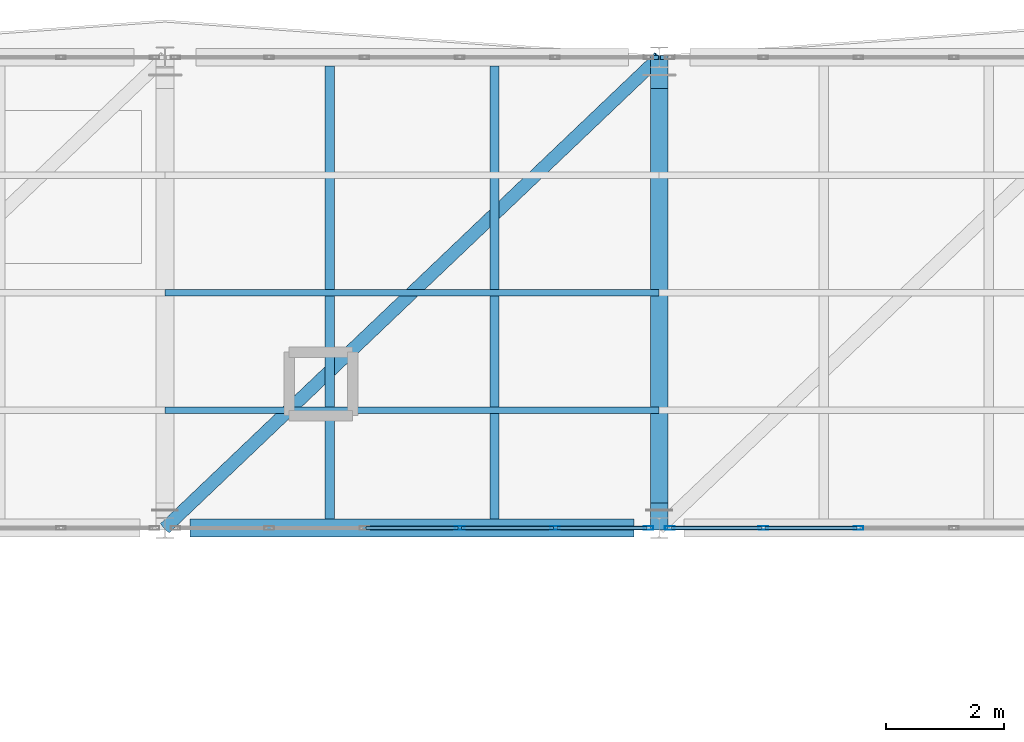
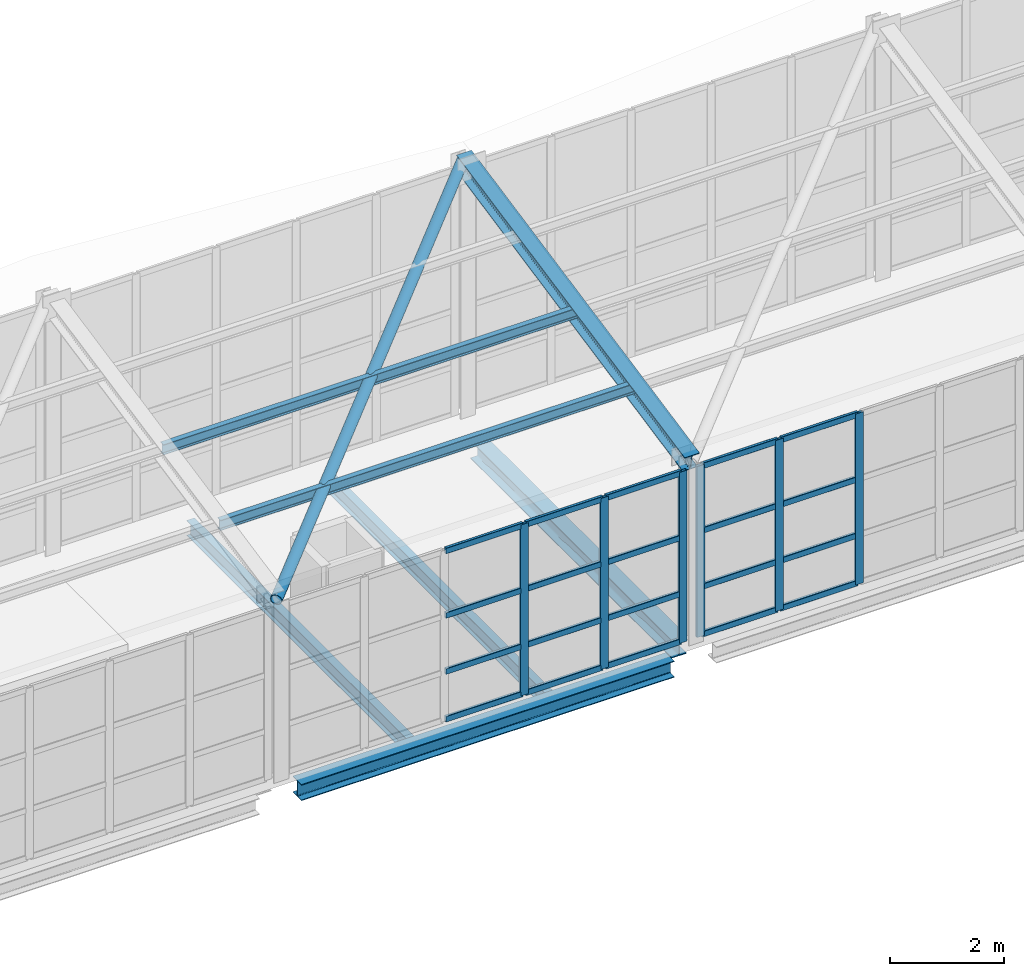
# One storey, part 106 of 177: 30 members, 4 beams, 2 elements without a shape of their own.
"""IFC4 building model written with IfcOpenShell, lengths in metres."""

from ifc_helpers import new_model, si_unit, direction, frame, origin, origin_2d, place, context, subcontext, project, spatial, hollow_rectangle, hollow_circle, i_section, extrude, material, layer, layer_set, material_profile, profile_set, type_object, element, aggregate, save


model = new_model("IFC4")

# Units and contexts
model_context = context("Model", 3, precision=1e-05, world=origin(), true_north=direction((0.0, 1.0)))
body_context = subcontext(model_context, "Body", "Model", "MODEL_VIEW")
ifc_project = project(units=[si_unit("LENGTHUNIT", "METRE"), si_unit("AREAUNIT", "SQUARE_METRE"), si_unit("VOLUMEUNIT", "CUBIC_METRE"), si_unit("PLANEANGLEUNIT", "RADIAN"), si_unit("MASSUNIT", "GRAM", prefix="KILO"), si_unit("THERMODYNAMICTEMPERATUREUNIT", "KELVIN"), si_unit("POWERUNIT", "WATT")], contexts=[model_context])

# Site, building, storey
site_placement = place(None, origin())
site = spatial("IfcSite", under=ifc_project, at=site_placement, CompositionType="ELEMENT")
building_placement = place(site_placement, origin())
building = spatial("IfcBuilding", under=site, at=building_placement, Name="Mavoryth Pier Ferry Terminal", CompositionType="ELEMENT")
storey_placement = place(building_placement, frame((0.0, 0.0, 5.43994140625)))
storey = spatial("IfcBuildingStorey", under=building, at=storey_placement, Name="L01", CompositionType="ELEMENT", Elevation=5.43994140625)

# Beam
ifc_material_1 = material(Name="Steel S355J2", Category="steel")
ifc_material_profile_1 = material_profile(ifc_material_1, i_section(OverallWidth=0.300048828125, OverallDepth=0.389892578125, WebThickness=0.010986328125, FlangeThickness=0.01904296875, FilletRadius=0.027099609375, at=origin_2d()), Name="HEA 400", Category="steel")
ifc_profile_set_1 = profile_set([ifc_material_profile_1], Name="Steel S355J2 - HEA 400")
beam_type_1 = type_object("IfcBeamType", Name="Beam-Steel-HEA400", PredefinedType="BEAM", material=ifc_profile_set_1)
beam_1_placement = place(storey_placement, frame((117.60009765625, 106.425048828125, -0.43505859375), z_axis=(0.0, 1.0, 0.0), x_axis=(-1.0, 0.0, 0.0)))
element("IfcBeam", 1, at=beam_1_placement, inside=storey, type_object=beam_type_1, Name="Beam B01-SB04-0286", PredefinedType="BEAM", context=body_context, shape_type="SweptSolid", body=[
    extrude(i_section(OverallWidth=0.300048828125, OverallDepth=0.389892578125, WebThickness=0.010986328125, FlangeThickness=0.01904296875, FilletRadius=0.027099609375, at=origin_2d()), origin(), (0.0, 0.0, 1.0), 7.050048828125),
])

# Member
ifc_material_profile_2 = material_profile(ifc_material_1, hollow_circle(Radius=0.109619140625, WallThickness=0.010009765625, at=origin_2d()), Name="CHS 219.1x10.0", Category="steel")
ifc_profile_set_2 = profile_set([ifc_material_profile_2], Name="Steel S355J2 - CHS 219.1x10.0")
member_type_1 = type_object("IfcMemberType", Name="Brace-Diag-CHS219", PredefinedType="BRACE", material=ifc_profile_set_2)
member_1_placement = place(storey_placement, frame((109.199951171875, 106.0, 3.771240234375), z_axis=(0.717118778547, 0.682958355435, 0.138955180532), x_axis=(-0.689648865971, 0.724143937118, 0.0)))
element("IfcMember", 2, at=member_1_placement, inside=storey, type_object=member_type_1, Name="Steel Member MB-L01-0281", PredefinedType="BRACE", context=body_context, shape_type="SweptSolid", body=[
    extrude(hollow_circle(Radius=0.109619140625, WallThickness=0.010009765625, at=origin_2d()), origin(), (0.0, 0.0, 1.0), 11.713623046875),
])

# Beams
ifc_material_profile_3 = material_profile(ifc_material_1, i_section(OverallWidth=0.159912109375, OverallDepth=0.330078125, WebThickness=0.007568359375, FlangeThickness=0.011474609375, FilletRadius=0.01806640625, at=origin_2d()), Name="IPE 330", Category="steel")
ifc_profile_set_3 = profile_set([ifc_material_profile_3], Name="Steel S355J2 - IPE 330")
beam_type_2 = type_object("IfcBeamType", Name="Joist-Steel-IPE330", PredefinedType="JOIST", material=ifc_profile_set_3)
for number, where, z_axis, x_axis, name in (
    (3, (112.0, 106.14990234375, -0.405029296875), (0.0, 1.0, 0.0), (-1.0, 0.0, 0.0), "Beam B01-SJ03-0303"),
    (4, (114.800048828125, 106.14990234375, -0.405029296875), (0.0, 1.0, 0.0), (-1.0, 0.0, 0.0), "Beam B01-SJ03-0304"),
):
    element("IfcBeam", number, at=place(storey_placement, frame(where, z_axis=z_axis, x_axis=x_axis)), inside=storey, type_object=beam_type_2, Name=name, PredefinedType="JOIST", context=body_context, shape_type="SweptSolid", body=[
        extrude(i_section(OverallWidth=0.159912109375, OverallDepth=0.330078125, WebThickness=0.007568359375, FlangeThickness=0.011474609375, FilletRadius=0.01806640625, at=origin_2d()), origin(), (0.0, 0.0, 1.0), 7.7001953125),
    ])

# Curtain wall, members
ifc_material_2 = material(Name="Anodised Aluminium and Solar-Control Low-E Glass", Category="aluminium")
ifc_layer = layer(ifc_material_2, 0.139892578125, Name="Anodised Aluminium and Solar-Control Low-E Glass", Category="aluminium")
ifc_layer_set = layer_set([ifc_layer], Name="Anodised Aluminium and Solar-Control Low-E Glass - CW-Gallery-Mod1600")
curtain_wall_type = type_object("IfcCurtainWallType", Name="CW-Gallery-Mod1600", PredefinedType="USERDEFINED", material=ifc_layer_set)
curtain_wall_1_placement = place(storey_placement, origin())
curtain_wall_1 = element("IfcCurtainWall", 5, at=curtain_wall_1_placement, inside=storey, type_object=curtain_wall_type, Name="Curtain Wall CW-0122-087", ObjectType="UNITISED CURTAIN WALL", PredefinedType="USERDEFINED")
ifc_material_3 = material(Name="Anodised Aluminium EN AW-6063", Category="aluminium")
ifc_material_profile_4 = material_profile(ifc_material_3, hollow_rectangle(XDim=0.06005859375, YDim=0.1650390625, WallThickness=0.00390625, InnerFilletRadius=0.00390625, OuterFilletRadius=0.008056640625, at=origin_2d()), Name="AL-MULL 165x60x4", Category="aluminium")
ifc_profile_set_4 = profile_set([ifc_material_profile_4], Name="Anodised Aluminium EN AW-6063 - AL-MULL 165x60x4")
member_type_2 = type_object("IfcMemberType", Name="Mullion-Alum-165x60", PredefinedType="MULLION", material=ifc_profile_set_4)
member_2_placement = place(storey_placement, frame((114.2099609375, 106.0, 0.0), z_axis=(0.0, 0.0, 1.0), x_axis=(0.0, 1.0, 0.0)))
member_2 = element("IfcMember", 6, at=member_2_placement, type_object=member_type_2, Name="CW05 mullion 4", PredefinedType="MULLION", context=body_context, shape_type="SweptSolid", body=[
    extrude(hollow_rectangle(XDim=0.06005859375, YDim=0.1650390625, WallThickness=0.00390625, InnerFilletRadius=0.00390625, OuterFilletRadius=0.008056640625, at=origin_2d()), origin(), (0.0, 0.0, 1.0), 3.66015625),
])
member_3_placement = place(storey_placement, frame((115.830078125, 106.0, 0.0), z_axis=(0.0, 0.0, 1.0), x_axis=(0.0, 1.0, 0.0)))
member_3 = element("IfcMember", 7, at=member_3_placement, type_object=member_type_2, Name="CW05 mullion 5", PredefinedType="MULLION", context=body_context, shape_type="SweptSolid", body=[
    extrude(hollow_rectangle(XDim=0.06005859375, YDim=0.1650390625, WallThickness=0.00390625, InnerFilletRadius=0.00390625, OuterFilletRadius=0.008056640625, at=origin_2d()), origin(), (0.0, 0.0, 1.0), 3.66015625),
])
member_4_placement = place(storey_placement, frame((117.419921875, 106.0, 0.0), z_axis=(0.0, 0.0, 1.0), x_axis=(0.0, 1.0, 0.0)))
member_4 = element("IfcMember", 8, at=member_4_placement, type_object=member_type_2, Name="CW05 mullion 6", PredefinedType="MULLION", context=body_context, shape_type="SweptSolid", body=[
    extrude(hollow_rectangle(XDim=0.06005859375, YDim=0.1650390625, WallThickness=0.00390625, InnerFilletRadius=0.00390625, OuterFilletRadius=0.008056640625, at=origin_2d()), origin(), (0.0, 0.0, 1.0), 3.66015625),
])

curtain_wall_2_placement = place(storey_placement, origin())
curtain_wall_2 = element("IfcCurtainWall", 9, at=curtain_wall_2_placement, inside=storey, type_object=curtain_wall_type, Name="Curtain Wall CW-0122-089", ObjectType="UNITISED CURTAIN WALL", PredefinedType="USERDEFINED")
member_5_placement = place(storey_placement, frame((117.780029296875, 106.0, 0.0), z_axis=(0.0, 0.0, 1.0), x_axis=(0.0, 1.0, 0.0)))
member_5 = element("IfcMember", 10, at=member_5_placement, type_object=member_type_2, Name="CW05 mullion 1", PredefinedType="MULLION", context=body_context, shape_type="SweptSolid", body=[
    extrude(hollow_rectangle(XDim=0.06005859375, YDim=0.1650390625, WallThickness=0.00390625, InnerFilletRadius=0.00390625, OuterFilletRadius=0.008056640625, at=origin_2d()), origin(), (0.0, 0.0, 1.0), 3.66015625),
])
member_6_placement = place(storey_placement, frame((119.3701171875, 106.0, 0.0), z_axis=(0.0, 0.0, 1.0), x_axis=(0.0, 1.0, 0.0)))
member_6 = element("IfcMember", 11, at=member_6_placement, type_object=member_type_2, Name="CW05 mullion 2", PredefinedType="MULLION", context=body_context, shape_type="SweptSolid", body=[
    extrude(hollow_rectangle(XDim=0.06005859375, YDim=0.1650390625, WallThickness=0.00390625, InnerFilletRadius=0.00390625, OuterFilletRadius=0.008056640625, at=origin_2d()), origin(), (0.0, 0.0, 1.0), 3.66015625),
])
member_7_placement = place(storey_placement, frame((120.989990234375, 106.0, 0.0), z_axis=(0.0, 0.0, 1.0), x_axis=(0.0, 1.0, 0.0)))
member_7 = element("IfcMember", 12, at=member_7_placement, type_object=member_type_2, Name="CW05 mullion 3", PredefinedType="MULLION", context=body_context, shape_type="SweptSolid", body=[
    extrude(hollow_rectangle(XDim=0.06005859375, YDim=0.1650390625, WallThickness=0.00390625, InnerFilletRadius=0.00390625, OuterFilletRadius=0.008056640625, at=origin_2d()), origin(), (0.0, 0.0, 1.0), 3.66015625),
])

# Members
ifc_material_profile_5 = material_profile(ifc_material_1, i_section(OverallWidth=0.110107421875, OverallDepth=0.219970703125, WebThickness=0.005859375, FlangeThickness=0.00927734375, FilletRadius=0.011962890625, at=origin_2d()), Name="IPE 220", Category="steel")
ifc_profile_set_5 = profile_set([ifc_material_profile_5], Name="Steel S355J2 - IPE 220")
member_type_3 = type_object("IfcMemberType", Name="Purlin-Roof-IPE220", PredefinedType="PURLIN", material=ifc_profile_set_5)
for number, where, z_axis, x_axis, name in (
    (13, (109.199951171875, 108.0, 4.17822265625), (1.0, 0.0, 0.0), (0.0, 1.0, 0.0), "Steel Member MB-L01-0278"),
    (14, (109.199951171875, 110.0, 4.5849609375), (1.0, 0.0, 0.0), (0.0, 1.0, 0.0), "Steel Member MB-L01-0279"),
):
    element("IfcMember", number, at=place(storey_placement, frame(where, z_axis=z_axis, x_axis=x_axis)), inside=storey, type_object=member_type_3, Name=name, PredefinedType="PURLIN", context=body_context, shape_type="SweptSolid", body=[
        extrude(i_section(OverallWidth=0.110107421875, OverallDepth=0.219970703125, WebThickness=0.005859375, FlangeThickness=0.00927734375, FilletRadius=0.011962890625, at=origin_2d()), origin(), (0.0, 0.0, 1.0), 8.400146484375),
    ])
ifc_material_profile_6 = material_profile(ifc_material_1, i_section(OverallWidth=0.300048828125, OverallDepth=0.35009765625, WebThickness=0.010009765625, FlangeThickness=0.017578125, FilletRadius=0.027099609375, at=origin_2d()), Name="HEA 360", Category="steel")
ifc_profile_set_6 = profile_set([ifc_material_profile_6], Name="Steel S355J2 - HEA 360")
member_type_4 = type_object("IfcMemberType", Name="Rafter-Gallery-HEA360", PredefinedType="RAFTER", material=ifc_profile_set_6)
member_8_placement = place(storey_placement, frame((117.60009765625, 106.0, 3.771240234375), z_axis=(0.0, 0.979923097627, 0.199375832882), x_axis=(-1.0, 0.0, 0.0)))
element("IfcMember", 15, at=member_8_placement, inside=storey, type_object=member_type_4, Name="Steel Member MB-L01-0245", PredefinedType="RAFTER", context=body_context, shape_type="SweptSolid", body=[
    extrude(i_section(OverallWidth=0.300048828125, OverallDepth=0.35009765625, WebThickness=0.010009765625, FlangeThickness=0.017578125, FilletRadius=0.027099609375, at=origin_2d()), origin(), (0.0, 0.0, 1.0), 8.163818359375),
])

# Beam
ifc_material_profile_7 = material_profile(ifc_material_1, i_section(OverallWidth=0.300048828125, OverallDepth=0.35009765625, WebThickness=0.010009765625, FlangeThickness=0.017578125, FilletRadius=0.027099609375, at=origin_2d()), Name="HEA 360", Category="steel")
ifc_profile_set_7 = profile_set([ifc_material_profile_7], Name="Steel S355J2 - HEA 360")
beam_type_3 = type_object("IfcBeamType", Name="Spandrel-Steel-HEA360", PredefinedType="SPANDREL", material=ifc_profile_set_7)
beam_2_placement = place(storey_placement, frame((109.625, 106.0, -0.4150390625), z_axis=(1.0, 0.0, 0.0), x_axis=(0.0, 1.0, 0.0)))
element("IfcBeam", 16, at=beam_2_placement, inside=storey, type_object=beam_type_3, Name="Beam B01-SP03-0261", PredefinedType="SPANDREL", context=body_context, shape_type="SweptSolid", body=[
    extrude(i_section(OverallWidth=0.300048828125, OverallDepth=0.35009765625, WebThickness=0.010009765625, FlangeThickness=0.017578125, FilletRadius=0.027099609375, at=origin_2d()), origin(), (0.0, 0.0, 1.0), 7.550048828125),
])

# Member
ifc_material_profile_8 = material_profile(ifc_material_3, hollow_rectangle(XDim=0.06005859375, YDim=0.125, WallThickness=0.00390625, InnerFilletRadius=0.00390625, OuterFilletRadius=0.008056640625, at=origin_2d()), Name="AL-TRAN 125x60x4", Category="aluminium")
ifc_profile_set_8 = profile_set([ifc_material_profile_8], Name="Anodised Aluminium EN AW-6063 - AL-TRAN 125x60x4")
member_type_5 = type_object("IfcMemberType", Name="Transom-Alum-125x60", PredefinedType="USERDEFINED", material=ifc_profile_set_8)
member_9_placement = place(storey_placement, frame((112.6201171875, 106.0, 0.030029296875), z_axis=(1.0, 0.0, 0.0), x_axis=(0.0, 1.0, 0.0)))
member_9 = element("IfcMember", 17, at=member_9_placement, type_object=member_type_5, Name="CW05 transom 3.1", ObjectType="TRANSOM", PredefinedType="USERDEFINED", context=body_context, shape_type="SweptSolid", body=[
    extrude(hollow_rectangle(XDim=0.06005859375, YDim=0.125, WallThickness=0.00390625, InnerFilletRadius=0.00390625, OuterFilletRadius=0.008056640625, at=origin_2d()), origin(), (0.0, 0.0, 1.0), 1.559814453125),
])

member_10_placement = place(storey_placement, frame((112.6201171875, 106.0, 1.050048828125), z_axis=(1.0, 0.0, 0.0), x_axis=(0.0, 1.0, 0.0)))
member_10 = element("IfcMember", 18, at=member_10_placement, type_object=member_type_5, Name="CW05 transom 3.2", ObjectType="TRANSOM", PredefinedType="USERDEFINED", context=body_context, shape_type="SweptSolid", body=[
    extrude(hollow_rectangle(XDim=0.06005859375, YDim=0.125, WallThickness=0.00390625, InnerFilletRadius=0.00390625, OuterFilletRadius=0.008056640625, at=origin_2d()), origin(), (0.0, 0.0, 1.0), 1.559814453125),
])

member_11_placement = place(storey_placement, frame((112.6201171875, 106.0, 2.25), z_axis=(1.0, 0.0, 0.0), x_axis=(0.0, 1.0, 0.0)))
member_11 = element("IfcMember", 19, at=member_11_placement, type_object=member_type_5, Name="CW05 transom 3.3", ObjectType="TRANSOM", PredefinedType="USERDEFINED", context=body_context, shape_type="SweptSolid", body=[
    extrude(hollow_rectangle(XDim=0.06005859375, YDim=0.125, WallThickness=0.00390625, InnerFilletRadius=0.00390625, OuterFilletRadius=0.008056640625, at=origin_2d()), origin(), (0.0, 0.0, 1.0), 1.559814453125),
])

member_12_placement = place(storey_placement, frame((112.6201171875, 106.0, 3.630126953125), z_axis=(1.0, 0.0, 0.0), x_axis=(0.0, 1.0, 0.0)))
member_12 = element("IfcMember", 20, at=member_12_placement, type_object=member_type_5, Name="CW05 transom 3.4", ObjectType="TRANSOM", PredefinedType="USERDEFINED", context=body_context, shape_type="SweptSolid", body=[
    extrude(hollow_rectangle(XDim=0.06005859375, YDim=0.125, WallThickness=0.00390625, InnerFilletRadius=0.00390625, OuterFilletRadius=0.008056640625, at=origin_2d()), origin(), (0.0, 0.0, 1.0), 1.559814453125),
])

member_13_placement = place(storey_placement, frame((114.239990234375, 106.0, 0.030029296875), z_axis=(1.0, 0.0, 0.0), x_axis=(0.0, 1.0, 0.0)))
member_13 = element("IfcMember", 21, at=member_13_placement, type_object=member_type_5, Name="CW05 transom 4.1", ObjectType="TRANSOM", PredefinedType="USERDEFINED", context=body_context, shape_type="SweptSolid", body=[
    extrude(hollow_rectangle(XDim=0.06005859375, YDim=0.125, WallThickness=0.00390625, InnerFilletRadius=0.00390625, OuterFilletRadius=0.008056640625, at=origin_2d()), origin(), (0.0, 0.0, 1.0), 1.56005859375),
])

member_14_placement = place(storey_placement, frame((114.239990234375, 106.0, 1.050048828125), z_axis=(1.0, 0.0, 0.0), x_axis=(0.0, 1.0, 0.0)))
member_14 = element("IfcMember", 22, at=member_14_placement, type_object=member_type_5, Name="CW05 transom 4.2", ObjectType="TRANSOM", PredefinedType="USERDEFINED", context=body_context, shape_type="SweptSolid", body=[
    extrude(hollow_rectangle(XDim=0.06005859375, YDim=0.125, WallThickness=0.00390625, InnerFilletRadius=0.00390625, OuterFilletRadius=0.008056640625, at=origin_2d()), origin(), (0.0, 0.0, 1.0), 1.56005859375),
])

member_15_placement = place(storey_placement, frame((114.239990234375, 106.0, 2.25), z_axis=(1.0, 0.0, 0.0), x_axis=(0.0, 1.0, 0.0)))
member_15 = element("IfcMember", 23, at=member_15_placement, type_object=member_type_5, Name="CW05 transom 4.3", ObjectType="TRANSOM", PredefinedType="USERDEFINED", context=body_context, shape_type="SweptSolid", body=[
    extrude(hollow_rectangle(XDim=0.06005859375, YDim=0.125, WallThickness=0.00390625, InnerFilletRadius=0.00390625, OuterFilletRadius=0.008056640625, at=origin_2d()), origin(), (0.0, 0.0, 1.0), 1.56005859375),
])

member_16_placement = place(storey_placement, frame((114.239990234375, 106.0, 3.630126953125), z_axis=(1.0, 0.0, 0.0), x_axis=(0.0, 1.0, 0.0)))
member_16 = element("IfcMember", 24, at=member_16_placement, type_object=member_type_5, Name="CW05 transom 4.4", ObjectType="TRANSOM", PredefinedType="USERDEFINED", context=body_context, shape_type="SweptSolid", body=[
    extrude(hollow_rectangle(XDim=0.06005859375, YDim=0.125, WallThickness=0.00390625, InnerFilletRadius=0.00390625, OuterFilletRadius=0.008056640625, at=origin_2d()), origin(), (0.0, 0.0, 1.0), 1.56005859375),
])

member_17_placement = place(storey_placement, frame((115.860107421875, 106.0, 0.030029296875), z_axis=(1.0, 0.0, 0.0), x_axis=(0.0, 1.0, 0.0)))
member_17 = element("IfcMember", 25, at=member_17_placement, type_object=member_type_5, Name="CW05 transom 5.1", ObjectType="TRANSOM", PredefinedType="USERDEFINED", context=body_context, shape_type="SweptSolid", body=[
    extrude(hollow_rectangle(XDim=0.06005859375, YDim=0.125, WallThickness=0.00390625, InnerFilletRadius=0.00390625, OuterFilletRadius=0.008056640625, at=origin_2d()), origin(), (0.0, 0.0, 1.0), 1.52978515625),
])

member_18_placement = place(storey_placement, frame((115.860107421875, 106.0, 1.050048828125), z_axis=(1.0, 0.0, 0.0), x_axis=(0.0, 1.0, 0.0)))
member_18 = element("IfcMember", 26, at=member_18_placement, type_object=member_type_5, Name="CW05 transom 5.2", ObjectType="TRANSOM", PredefinedType="USERDEFINED", context=body_context, shape_type="SweptSolid", body=[
    extrude(hollow_rectangle(XDim=0.06005859375, YDim=0.125, WallThickness=0.00390625, InnerFilletRadius=0.00390625, OuterFilletRadius=0.008056640625, at=origin_2d()), origin(), (0.0, 0.0, 1.0), 1.52978515625),
])

member_19_placement = place(storey_placement, frame((115.860107421875, 106.0, 2.25), z_axis=(1.0, 0.0, 0.0), x_axis=(0.0, 1.0, 0.0)))
member_19 = element("IfcMember", 27, at=member_19_placement, type_object=member_type_5, Name="CW05 transom 5.3", ObjectType="TRANSOM", PredefinedType="USERDEFINED", context=body_context, shape_type="SweptSolid", body=[
    extrude(hollow_rectangle(XDim=0.06005859375, YDim=0.125, WallThickness=0.00390625, InnerFilletRadius=0.00390625, OuterFilletRadius=0.008056640625, at=origin_2d()), origin(), (0.0, 0.0, 1.0), 1.52978515625),
])

member_20_placement = place(storey_placement, frame((115.860107421875, 106.0, 3.630126953125), z_axis=(1.0, 0.0, 0.0), x_axis=(0.0, 1.0, 0.0)))
member_20 = element("IfcMember", 28, at=member_20_placement, type_object=member_type_5, Name="CW05 transom 5.4", ObjectType="TRANSOM", PredefinedType="USERDEFINED", context=body_context, shape_type="SweptSolid", body=[
    extrude(hollow_rectangle(XDim=0.06005859375, YDim=0.125, WallThickness=0.00390625, InnerFilletRadius=0.00390625, OuterFilletRadius=0.008056640625, at=origin_2d()), origin(), (0.0, 0.0, 1.0), 1.52978515625),
])

aggregate(curtain_wall_1, [member_2, member_3, member_4, member_9, member_10, member_11, member_12, member_13, member_14, member_15, member_16, member_17, member_18, member_19, member_20])

member_21_placement = place(storey_placement, frame((117.81005859375, 106.0, 0.030029296875), z_axis=(1.0, 0.0, 0.0), x_axis=(0.0, 1.0, 0.0)))
member_21 = element("IfcMember", 29, at=member_21_placement, type_object=member_type_5, Name="CW05 transom 1.1", ObjectType="TRANSOM", PredefinedType="USERDEFINED", context=body_context, shape_type="SweptSolid", body=[
    extrude(hollow_rectangle(XDim=0.06005859375, YDim=0.125, WallThickness=0.00390625, InnerFilletRadius=0.00390625, OuterFilletRadius=0.008056640625, at=origin_2d()), origin(), (0.0, 0.0, 1.0), 1.530029296875),
])

member_22_placement = place(storey_placement, frame((117.81005859375, 106.0, 1.050048828125), z_axis=(1.0, 0.0, 0.0), x_axis=(0.0, 1.0, 0.0)))
member_22 = element("IfcMember", 30, at=member_22_placement, type_object=member_type_5, Name="CW05 transom 1.2", ObjectType="TRANSOM", PredefinedType="USERDEFINED", context=body_context, shape_type="SweptSolid", body=[
    extrude(hollow_rectangle(XDim=0.06005859375, YDim=0.125, WallThickness=0.00390625, InnerFilletRadius=0.00390625, OuterFilletRadius=0.008056640625, at=origin_2d()), origin(), (0.0, 0.0, 1.0), 1.530029296875),
])

member_23_placement = place(storey_placement, frame((117.81005859375, 106.0, 2.25), z_axis=(1.0, 0.0, 0.0), x_axis=(0.0, 1.0, 0.0)))
member_23 = element("IfcMember", 31, at=member_23_placement, type_object=member_type_5, Name="CW05 transom 1.3", ObjectType="TRANSOM", PredefinedType="USERDEFINED", context=body_context, shape_type="SweptSolid", body=[
    extrude(hollow_rectangle(XDim=0.06005859375, YDim=0.125, WallThickness=0.00390625, InnerFilletRadius=0.00390625, OuterFilletRadius=0.008056640625, at=origin_2d()), origin(), (0.0, 0.0, 1.0), 1.530029296875),
])

member_24_placement = place(storey_placement, frame((117.81005859375, 106.0, 3.630126953125), z_axis=(1.0, 0.0, 0.0), x_axis=(0.0, 1.0, 0.0)))
member_24 = element("IfcMember", 32, at=member_24_placement, type_object=member_type_5, Name="CW05 transom 1.4", ObjectType="TRANSOM", PredefinedType="USERDEFINED", context=body_context, shape_type="SweptSolid", body=[
    extrude(hollow_rectangle(XDim=0.06005859375, YDim=0.125, WallThickness=0.00390625, InnerFilletRadius=0.00390625, OuterFilletRadius=0.008056640625, at=origin_2d()), origin(), (0.0, 0.0, 1.0), 1.530029296875),
])

member_25_placement = place(storey_placement, frame((119.39990234375, 106.0, 0.030029296875), z_axis=(1.0, 0.0, 0.0), x_axis=(0.0, 1.0, 0.0)))
member_25 = element("IfcMember", 33, at=member_25_placement, type_object=member_type_5, Name="CW05 transom 2.1", ObjectType="TRANSOM", PredefinedType="USERDEFINED", context=body_context, shape_type="SweptSolid", body=[
    extrude(hollow_rectangle(XDim=0.06005859375, YDim=0.125, WallThickness=0.00390625, InnerFilletRadius=0.00390625, OuterFilletRadius=0.008056640625, at=origin_2d()), origin(), (0.0, 0.0, 1.0), 1.56005859375),
])

member_26_placement = place(storey_placement, frame((119.39990234375, 106.0, 1.050048828125), z_axis=(1.0, 0.0, 0.0), x_axis=(0.0, 1.0, 0.0)))
member_26 = element("IfcMember", 34, at=member_26_placement, type_object=member_type_5, Name="CW05 transom 2.2", ObjectType="TRANSOM", PredefinedType="USERDEFINED", context=body_context, shape_type="SweptSolid", body=[
    extrude(hollow_rectangle(XDim=0.06005859375, YDim=0.125, WallThickness=0.00390625, InnerFilletRadius=0.00390625, OuterFilletRadius=0.008056640625, at=origin_2d()), origin(), (0.0, 0.0, 1.0), 1.56005859375),
])

member_27_placement = place(storey_placement, frame((119.39990234375, 106.0, 2.25), z_axis=(1.0, 0.0, 0.0), x_axis=(0.0, 1.0, 0.0)))
member_27 = element("IfcMember", 35, at=member_27_placement, type_object=member_type_5, Name="CW05 transom 2.3", ObjectType="TRANSOM", PredefinedType="USERDEFINED", context=body_context, shape_type="SweptSolid", body=[
    extrude(hollow_rectangle(XDim=0.06005859375, YDim=0.125, WallThickness=0.00390625, InnerFilletRadius=0.00390625, OuterFilletRadius=0.008056640625, at=origin_2d()), origin(), (0.0, 0.0, 1.0), 1.56005859375),
])

member_28_placement = place(storey_placement, frame((119.39990234375, 106.0, 3.630126953125), z_axis=(1.0, 0.0, 0.0), x_axis=(0.0, 1.0, 0.0)))
member_28 = element("IfcMember", 36, at=member_28_placement, type_object=member_type_5, Name="CW05 transom 2.4", ObjectType="TRANSOM", PredefinedType="USERDEFINED", context=body_context, shape_type="SweptSolid", body=[
    extrude(hollow_rectangle(XDim=0.06005859375, YDim=0.125, WallThickness=0.00390625, InnerFilletRadius=0.00390625, OuterFilletRadius=0.008056640625, at=origin_2d()), origin(), (0.0, 0.0, 1.0), 1.56005859375),
])

aggregate(curtain_wall_2, [member_5, member_6, member_7, member_21, member_22, member_23, member_24, member_25, member_26, member_27, member_28])

save(model, "model.ifc")
